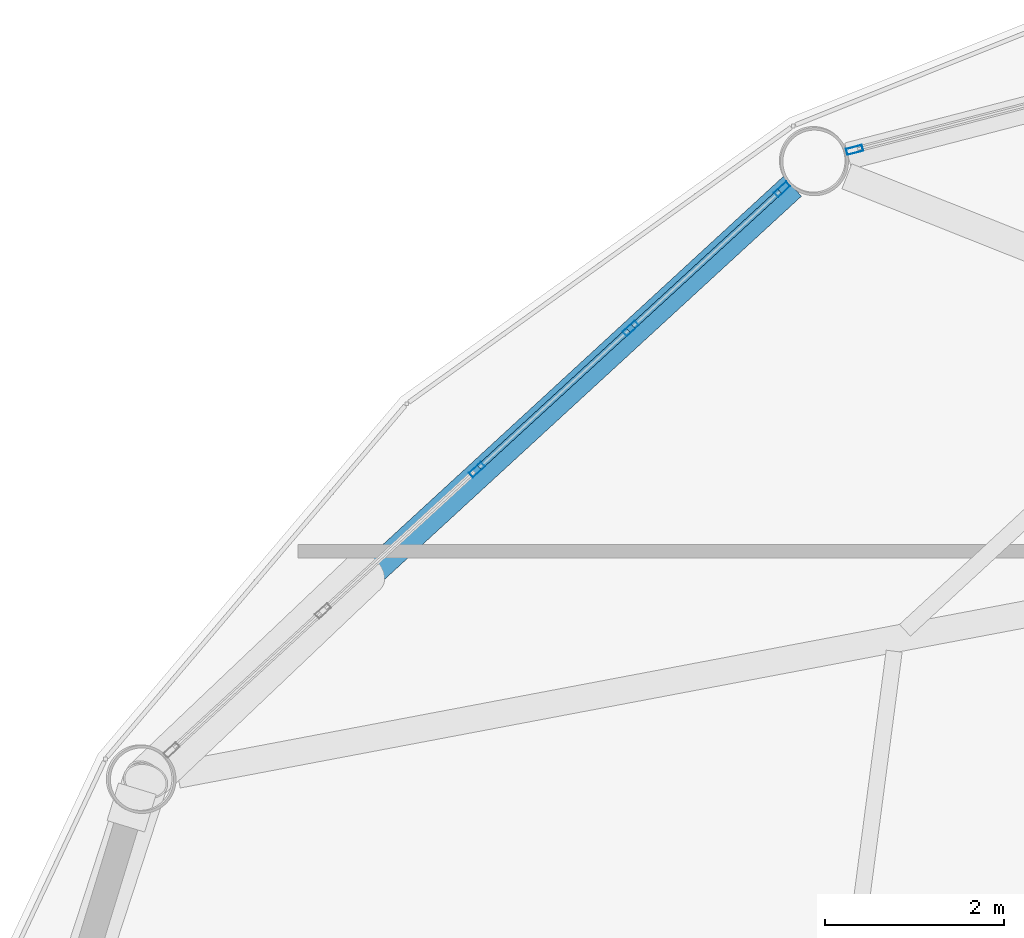
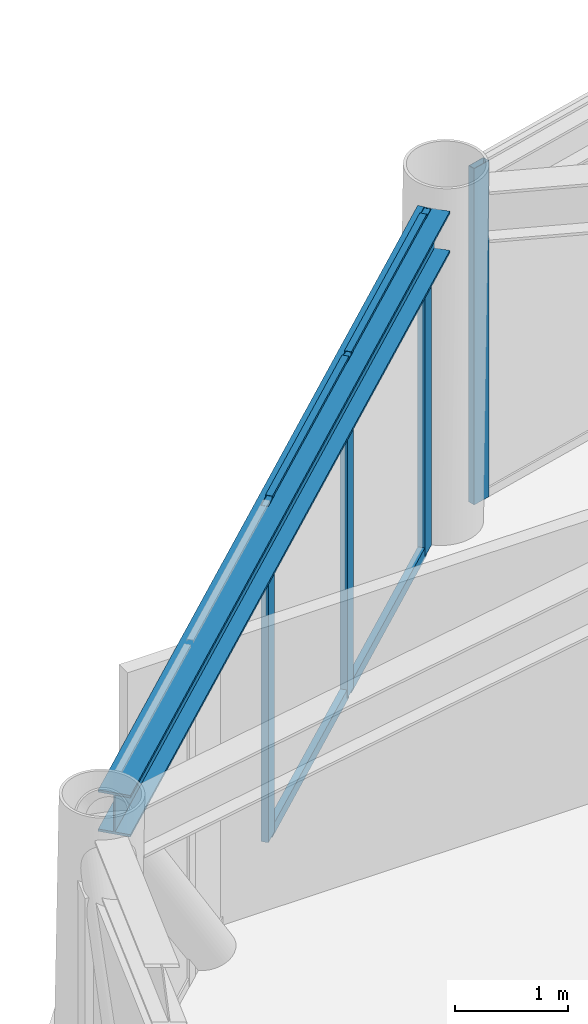
# One storey, part 17 of 26: 8 members, 1 beam, 2 elements without a shape of their own.
"""IFC4 building model written with IfcOpenShell, lengths in metres."""

from ifc_helpers import new_model, si_unit, direction, frame, origin, origin_2d, place, context, subcontext, project, spatial, hollow_rectangle, i_section, extrude, material, layer, layer_set, material_profile, profile_set, type_object, element, aggregate, save


model = new_model("IFC4")

# Units and contexts
model_context = context("Model", 3, precision=1e-05, world=origin(), true_north=direction((0.0, 1.0)))
body_context = subcontext(model_context, "Body", "Model", "MODEL_VIEW")
ifc_project = project(units=[si_unit("LENGTHUNIT", "METRE"), si_unit("AREAUNIT", "SQUARE_METRE"), si_unit("VOLUMEUNIT", "CUBIC_METRE"), si_unit("PLANEANGLEUNIT", "RADIAN"), si_unit("MASSUNIT", "GRAM", prefix="KILO")], contexts=[model_context])

# Site, building, storey
site_placement = place(None, origin())
site = spatial("IfcSite", under=ifc_project, at=site_placement, CompositionType="ELEMENT")
building_placement = place(site_placement, origin())
building = spatial("IfcBuilding", under=site, at=building_placement, Name="Varnakorn Sky Granary", CompositionType="ELEMENT")
storey_placement = place(building_placement, frame((0.0, 0.0, 153.89990234375)))
storey = spatial("IfcBuildingStorey", under=building, at=storey_placement, Name="L38", CompositionType="ELEMENT", Elevation=153.89990234375)

# Beam
ifc_material_1 = material(Name="Steel S355JR", Category="steel")
ifc_material_profile_1 = material_profile(ifc_material_1, i_section(OverallWidth=0.300048828125, OverallDepth=0.449951171875, WebThickness=0.013916015625, FlangeThickness=0.02587890625, at=origin_2d()), Name="HE 450 B")
ifc_profile_set_1 = profile_set([ifc_material_profile_1], Name="Steel S355JR")
beam_type = type_object("IfcBeamType", Name="BM-SPD-Z3", PredefinedType="SPANDREL", material=ifc_profile_set_1)
beam_placement = place(storey_placement, frame((-12.027099609375, 16.083740234375, 3.4150390625), z_axis=(-0.736214657164, -0.67674809093, 0.0), x_axis=(0.67674809093, -0.736214657164, 0.0)))
element("IfcBeam", 1, at=beam_placement, inside=storey, type_object=beam_type, Name="Perimeter Spandrel Ring Beam RB05 L38", PredefinedType="SPANDREL", context=body_context, shape_type="SweptSolid", body=[
    extrude(i_section(OverallWidth=0.300048828125, OverallDepth=0.449951171875, WebThickness=0.013916015625, FlangeThickness=0.02587890625, at=origin_2d()), origin(), (0.0, 0.0, 1.0), 9.46728515625),
])

# Curtain wall, member
ifc_material_2 = material(Name="Anodised Bronze Aluminium Alloy 6063-T6", Category="aluminium")
ifc_layer = layer(ifc_material_2, 0.179931640625, Name="Anodised Bronze Aluminium Alloy 6063-T6")
ifc_layer_set = layer_set([ifc_layer], Name="Anodised Bronze Aluminium Alloy 6063-T6")
curtain_wall_type = type_object("IfcCurtainWallType", Name="CW-FRM-2", PredefinedType="USERDEFINED", material=ifc_layer_set)
curtain_wall_1_placement = place(storey_placement, origin())
curtain_wall_1 = element("IfcCurtainWall", 2, at=curtain_wall_1_placement, inside=storey, type_object=curtain_wall_type, Name="Unitised Curtain Wall CW4 CW-L38-B04", ObjectType="CURTAIN WALL", PredefinedType="USERDEFINED")
ifc_material_profile_2 = material_profile(ifc_material_2, hollow_rectangle(XDim=0.070068359375, YDim=0.18505859375, WallThickness=0.00390625, at=origin_2d()), Name="ALU MULL 70x185")
ifc_profile_set_2 = profile_set([ifc_material_profile_2], Name="Anodised Bronze Aluminium Alloy 6063-T6")
member_type_1 = type_object("IfcMemberType", Name="CW-FRM-2-MULL", PredefinedType="MULLION", material=ifc_profile_set_2)
member_1_placement = place(storey_placement, frame((-11.330322265625, 16.49169921875, 0.0), z_axis=(0.0, 0.0, 1.0), x_axis=(-0.250935104668, 0.968003911792, 0.0)))
member_1 = element("IfcMember", 3, at=member_1_placement, type_object=member_type_1, Name="CW4 mullion 1", PredefinedType="MULLION", context=body_context, shape_type="SweptSolid", body=[
    extrude(hollow_rectangle(XDim=0.070068359375, YDim=0.18505859375, WallThickness=0.00390625, at=origin_2d()), origin(), (0.0, 0.0, 1.0), 3.64013671875),
])
aggregate(curtain_wall_1, [member_1])

# Curtain wall, members
curtain_wall_2_placement = place(storey_placement, origin())
curtain_wall_2 = element("IfcCurtainWall", 4, at=curtain_wall_2_placement, inside=storey, type_object=curtain_wall_type, Name="Unitised Curtain Wall CW4 CW-L38-B05", ObjectType="CURTAIN WALL", PredefinedType="USERDEFINED")
member_2_placement = place(storey_placement, frame((-15.557861328125, 12.912353515625, 0.0), z_axis=(0.0, 0.0, 1.0), x_axis=(-0.676471797865, 0.736468537477, 0.0)))
member_2 = element("IfcMember", 5, at=member_2_placement, type_object=member_type_1, Name="CW4 mullion 3", PredefinedType="MULLION", context=body_context, shape_type="SweptSolid", body=[
    extrude(hollow_rectangle(XDim=0.070068359375, YDim=0.18505859375, WallThickness=0.00390625, at=origin_2d()), origin(), (0.0, 0.0, 1.0), 3.64013671875),
])
member_3_placement = place(storey_placement, frame((-13.836669921875, 14.4931640625, 0.0), z_axis=(0.0, 0.0, 1.0), x_axis=(-0.676471797865, 0.736468537477, 0.0)))
member_3 = element("IfcMember", 6, at=member_3_placement, type_object=member_type_1, Name="CW4 mullion 4", PredefinedType="MULLION", context=body_context, shape_type="SweptSolid", body=[
    extrude(hollow_rectangle(XDim=0.070068359375, YDim=0.18505859375, WallThickness=0.00390625, at=origin_2d()), origin(), (0.0, 0.0, 1.0), 3.64013671875),
])
member_4_placement = place(storey_placement, frame((-12.1416015625, 16.05029296875, 0.0), z_axis=(0.0, 0.0, 1.0), x_axis=(-0.676471797865, 0.736468537477, 0.0)))
member_4 = element("IfcMember", 7, at=member_4_placement, type_object=member_type_1, Name="CW4 mullion 5", PredefinedType="MULLION", context=body_context, shape_type="SweptSolid", body=[
    extrude(hollow_rectangle(XDim=0.070068359375, YDim=0.18505859375, WallThickness=0.00390625, at=origin_2d()), origin(), (0.0, 0.0, 1.0), 3.64013671875),
])
ifc_material_profile_3 = material_profile(ifc_material_2, hollow_rectangle(XDim=0.06494140625, YDim=0.1201171875, WallThickness=0.00341796875, at=origin_2d()), Name="ALU TRAN 65x120")
ifc_profile_set_3 = profile_set([ifc_material_profile_3], Name="Anodised Bronze Aluminium Alloy 6063-T6")
member_type_2 = type_object("IfcMemberType", Name="CW-FRM-2-TRAN", PredefinedType="USERDEFINED", material=ifc_profile_set_3)
member_5_placement = place(storey_placement, frame((-15.531982421875, 12.93603515625, 0.03271484375), z_axis=(0.736465278556, 0.676475345804, 0.0), x_axis=(-0.676475345804, 0.736465278556, 0.0)))
member_5 = element("IfcMember", 8, at=member_5_placement, type_object=member_type_2, Name="CW4 transom 3.1", ObjectType="TRANSOM", PredefinedType="USERDEFINED", context=body_context, shape_type="SweptSolid", body=[
    extrude(hollow_rectangle(XDim=0.06494140625, YDim=0.1201171875, WallThickness=0.00341796875, at=origin_2d()), origin(), (0.0, 0.0, 1.0), 2.266845703125),
])
member_6_placement = place(storey_placement, frame((-15.531982421875, 12.93603515625, 3.607666015625), z_axis=(0.736465278556, 0.676475345804, 0.0), x_axis=(-0.676475345804, 0.736465278556, 0.0)))
member_6 = element("IfcMember", 9, at=member_6_placement, type_object=member_type_2, Name="CW4 transom 3.2", ObjectType="TRANSOM", PredefinedType="USERDEFINED", context=body_context, shape_type="SweptSolid", body=[
    extrude(hollow_rectangle(XDim=0.06494140625, YDim=0.1201171875, WallThickness=0.00341796875, at=origin_2d()), origin(), (0.0, 0.0, 1.0), 2.266845703125),
])
member_7_placement = place(storey_placement, frame((-13.81103515625, 14.516845703125, 0.03271484375), z_axis=(0.736495410887, 0.676442539867, 0.0), x_axis=(-0.676442539867, 0.736495410887, 0.0)))
member_7 = element("IfcMember", 10, at=member_7_placement, type_object=member_type_2, Name="CW4 transom 4.1", ObjectType="TRANSOM", PredefinedType="USERDEFINED", context=body_context, shape_type="SweptSolid", body=[
    extrude(hollow_rectangle(XDim=0.06494140625, YDim=0.1201171875, WallThickness=0.00341796875, at=origin_2d()), origin(), (0.0, 0.0, 1.0), 2.23193359375),
])
member_8_placement = place(storey_placement, frame((-13.81103515625, 14.516845703125, 3.607666015625), z_axis=(0.736495410887, 0.676442539867, 0.0), x_axis=(-0.676442539867, 0.736495410887, 0.0)))
member_8 = element("IfcMember", 11, at=member_8_placement, type_object=member_type_2, Name="CW4 transom 4.2", ObjectType="TRANSOM", PredefinedType="USERDEFINED", context=body_context, shape_type="SweptSolid", body=[
    extrude(hollow_rectangle(XDim=0.06494140625, YDim=0.1201171875, WallThickness=0.00341796875, at=origin_2d()), origin(), (0.0, 0.0, 1.0), 2.23193359375),
])
aggregate(curtain_wall_2, [member_2, member_3, member_4, member_5, member_6, member_7, member_8])

save(model, "model.ifc")
